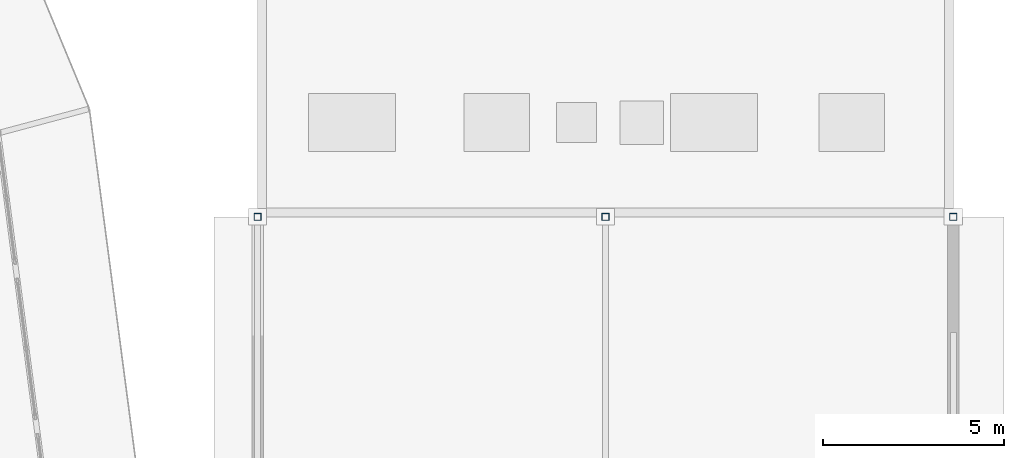
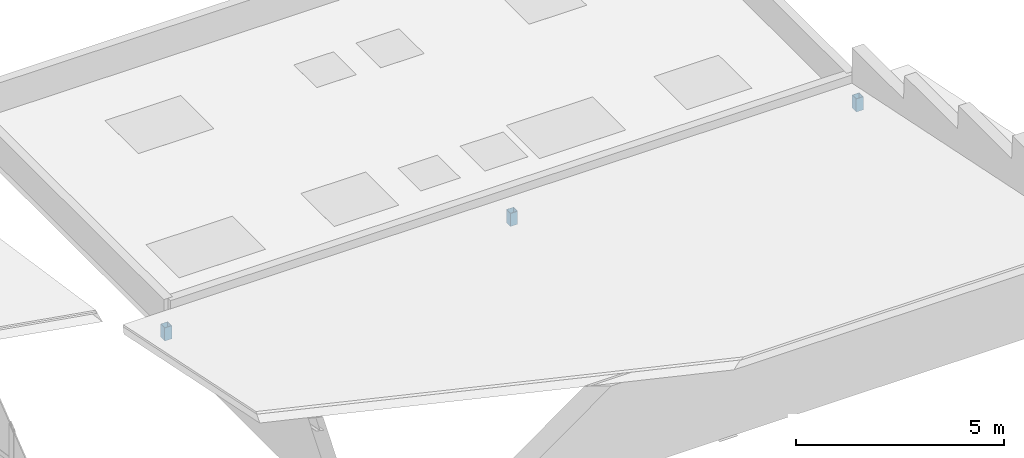
# One storey, part 134 of 200: 3 members.
"""IFC4 building model written with IfcOpenShell, lengths in metres."""

from ifc_helpers import new_model, si_unit, direction, frame, origin, origin_2d, place, context, subcontext, project, spatial, hollow_rectangle, extrude, material, material_profile, profile_set, type_object, element, save


model = new_model("IFC4")

# Units and contexts
model_context = context("Model", 3, precision=1e-05, world=origin(), true_north=direction((0.0, 1.0)))
body_context = subcontext(model_context, "Body", "Model", "MODEL_VIEW")
ifc_project = project(units=[si_unit("LENGTHUNIT", "METRE"), si_unit("AREAUNIT", "SQUARE_METRE"), si_unit("VOLUMEUNIT", "CUBIC_METRE"), si_unit("PLANEANGLEUNIT", "RADIAN"), si_unit("MASSUNIT", "GRAM", prefix="KILO")], contexts=[model_context])

# Site, building, storey
site_placement = place(None, origin())
site = spatial("IfcSite", under=ifc_project, at=site_placement, CompositionType="ELEMENT")
building_placement = place(site_placement, origin())
building = spatial("IfcBuilding", under=site, at=building_placement, Name="Vondelvale Polytechnic", CompositionType="ELEMENT")
storey_placement = place(building_placement, frame((0.0, 0.0, 13.800048828125)))
storey = spatial("IfcBuildingStorey", under=building, at=storey_placement, Name="L03", CompositionType="ELEMENT", Elevation=13.800048828125)

# Members
ifc_material = material(Name="Steel C350L0 (fy = 350 MPa)", Category="steel")
ifc_material_profile = material_profile(ifc_material, hollow_rectangle(XDim=0.199951171875, YDim=0.199951171875, WallThickness=0.009033203125, at=origin_2d()), Name="200x200x9.0SHS")
ifc_profile_set = profile_set([ifc_material_profile], Name="Steel C350L0 (fy = 350 MPa)")
member_type = type_object("IfcMemberType", Name="ROOF TRUSS POST 200SHS", PredefinedType="POST", material=ifc_profile_set)
for number, where, z_axis, x_axis, name in (
    (1, (153.60009765625, 81.60009765625, 0.0), (0.0, 0.0, 1.0), (1.0, 0.0, 0.0), "Refectory wing roof post"),
    (2, (163.199951171875, 81.60009765625, 0.0), (0.0, 0.0, 1.0), (1.0, 0.0, 0.0), "Refectory wing roof post"),
    (3, (172.800048828125, 81.60009765625, 0.0), (0.0, 0.0, 1.0), (1.0, 0.0, 0.0), "Refectory wing roof post"),
):
    element("IfcMember", number, at=place(storey_placement, frame(where, z_axis=z_axis, x_axis=x_axis)), inside=storey, type_object=member_type, Name=name, PredefinedType="POST", context=body_context, shape_type="SweptSolid", body=[
        extrude(hollow_rectangle(XDim=0.199951171875, YDim=0.199951171875, WallThickness=0.009033203125, at=origin_2d()), origin(), (0.0, 0.0, 1.0), 0.384033203125),
    ])

save(model, "model.ifc")
